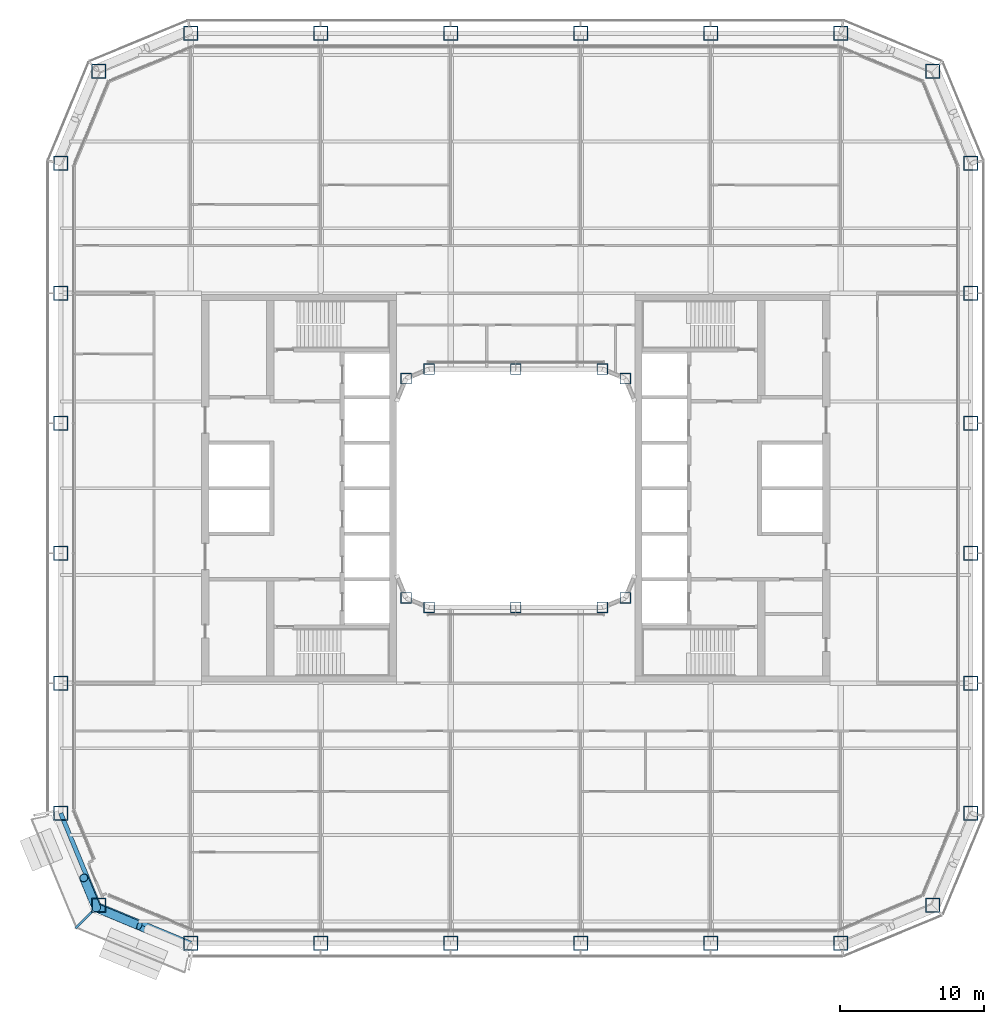
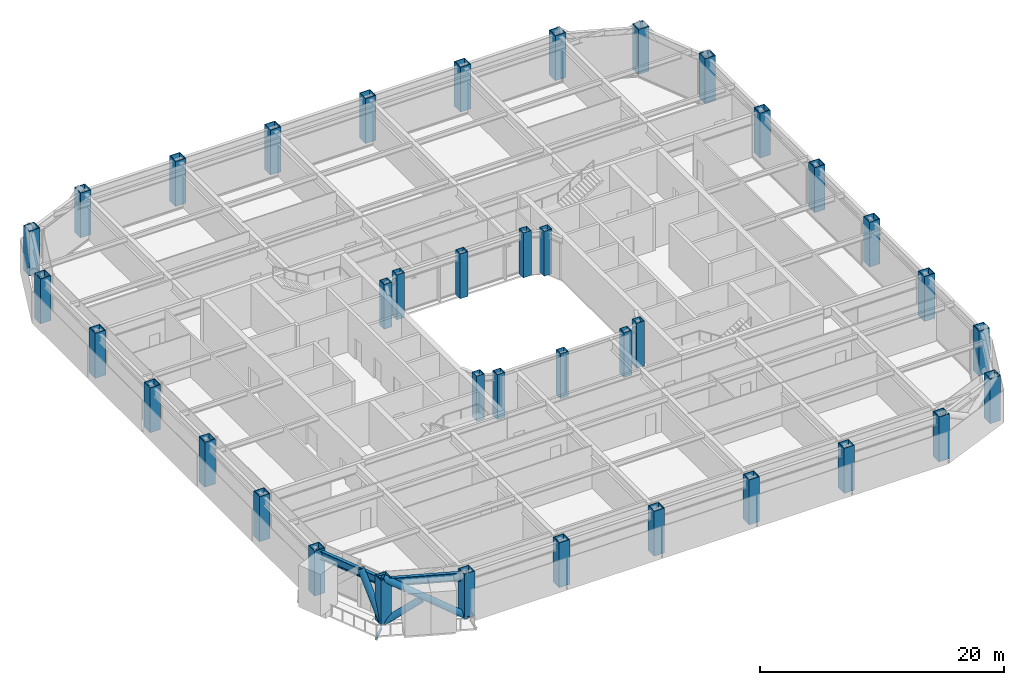
# One storey, part 1 of 27: 38 columns, 3 beams, 3 members.
"""IFC4 building model written with IfcOpenShell, lengths in metres."""

from ifc_helpers import new_model, si_unit, direction, frame, origin, origin_2d, place, context, subcontext, project, spatial, hollow_rectangle, hollow_circle, i_section, extrude, material, material_profile, profile_set, type_object, element, save


model = new_model("IFC4")

# Units and contexts
model_context = context("Model", 3, precision=1e-05, world=origin(), true_north=direction((0.0, 1.0)))
body_context = subcontext(model_context, "Body", "Model", "MODEL_VIEW")
ifc_project = project(units=[si_unit("LENGTHUNIT", "METRE"), si_unit("AREAUNIT", "SQUARE_METRE"), si_unit("VOLUMEUNIT", "CUBIC_METRE"), si_unit("PLANEANGLEUNIT", "RADIAN"), si_unit("MASSUNIT", "GRAM", prefix="KILO")], contexts=[model_context])

# Site, building, storey
site_placement = place(None, origin())
site = spatial("IfcSite", under=ifc_project, at=site_placement, CompositionType="ELEMENT")
building_placement = place(site_placement, origin())
building = spatial("IfcBuilding", under=site, at=building_placement, Name="Siwar Civic Tower", CompositionType="ELEMENT")
storey_placement = place(building_placement, frame((0.0, 0.0, 89.699951171875)))
storey = spatial("IfcBuildingStorey", under=building, at=storey_placement, Name="L19", CompositionType="ELEMENT", Elevation=89.699951171875)

# Columns
ifc_material_1 = material(Name="Steel S460", Category="steel")
ifc_material_profile_1 = material_profile(ifc_material_1, hollow_rectangle(XDim=1.0, YDim=1.0, WallThickness=0.06005859375, at=origin_2d()), Name="BOX1000x1000x60")
ifc_profile_set_1 = profile_set([ifc_material_profile_1], Name="Steel S460")
column_type_1 = type_object("IfcColumnType", Name="STR-COL-BOX1000x1000x60", PredefinedType="COLUMN", material=ifc_profile_set_1)
for number, where, z_axis, x_axis, name in (
    (1, (-22.5, -31.5, 0.0), (0.0, 0.0, 1.0), (1.0, 0.0, 0.0), "L19/col/S-0"),
    (2, (-13.5, -31.5, 0.0), (0.0, 0.0, 1.0), (1.0, 0.0, 0.0), "L19/col/S-1"),
    (3, (-4.5, -31.5, 0.0), (0.0, 0.0, 1.0), (1.0, 0.0, 0.0), "L19/col/S-2"),
    (4, (4.5, -31.5, 0.0), (0.0, 0.0, 1.0), (1.0, 0.0, 0.0), "L19/col/S-3"),
    (5, (13.5, -31.5, 0.0), (0.0, 0.0, 1.0), (1.0, 0.0, 0.0), "L19/col/S-4"),
    (6, (22.5, -31.5, 0.0), (0.0, 0.0, 1.0), (1.0, 0.0, 0.0), "L19/col/SE1-0"),
    (7, (28.864013671875, -28.864013671875, 0.0), (0.0, 0.0, 1.0), (1.0, 0.0, 0.0), "L19/col/SE2-0"),
    (8, (31.5, -22.5, 0.0), (0.0, 0.0, 1.0), (1.0, 0.0, 0.0), "L19/col/E-0"),
    (9, (31.5, -13.5, 0.0), (0.0, 0.0, 1.0), (1.0, 0.0, 0.0), "L19/col/E-1"),
    (10, (31.5, -4.5, 0.0), (0.0, 0.0, 1.0), (1.0, 0.0, 0.0), "L19/col/E-2"),
    (11, (31.5, 4.5, 0.0), (0.0, 0.0, 1.0), (1.0, 0.0, 0.0), "L19/col/E-3"),
    (12, (31.5, 13.5, 0.0), (0.0, 0.0, 1.0), (1.0, 0.0, 0.0), "L19/col/E-4"),
    (13, (31.5, 22.5, 0.0), (0.0, 0.0, 1.0), (1.0, 0.0, 0.0), "L19/col/NE1-0"),
    (14, (28.864013671875, 28.864013671875, 0.0), (0.0, 0.0, 1.0), (1.0, 0.0, 0.0), "L19/col/NE2-0"),
    (15, (22.5, 31.5, 0.0), (0.0, 0.0, 1.0), (1.0, 0.0, 0.0), "L19/col/N-0"),
    (16, (13.5, 31.5, 0.0), (0.0, 0.0, 1.0), (1.0, 0.0, 0.0), "L19/col/N-1"),
    (17, (4.5, 31.5, 0.0), (0.0, 0.0, 1.0), (1.0, 0.0, 0.0), "L19/col/N-2"),
    (18, (-4.5, 31.5, 0.0), (0.0, 0.0, 1.0), (1.0, 0.0, 0.0), "L19/col/N-3"),
    (19, (-13.5, 31.5, 0.0), (0.0, 0.0, 1.0), (1.0, 0.0, 0.0), "L19/col/N-4"),
    (20, (-22.5, 31.5, 0.0), (0.0, 0.0, 1.0), (1.0, 0.0, 0.0), "L19/col/NW1-0"),
    (21, (-28.864013671875, 28.864013671875, 0.0), (0.0, 0.0, 1.0), (1.0, 0.0, 0.0), "L19/col/NW2-0"),
    (22, (-31.5, 22.5, 0.0), (0.0, 0.0, 1.0), (1.0, 0.0, 0.0), "L19/col/W-0"),
    (23, (-31.5, 13.5, 0.0), (0.0, 0.0, 1.0), (1.0, 0.0, 0.0), "L19/col/W-1"),
    (24, (-31.5, 4.5, 0.0), (0.0, 0.0, 1.0), (1.0, 0.0, 0.0), "L19/col/W-2"),
    (25, (-31.5, -4.5, 0.0), (0.0, 0.0, 1.0), (1.0, 0.0, 0.0), "L19/col/W-3"),
    (26, (-31.5, -13.5, 0.0), (0.0, 0.0, 1.0), (1.0, 0.0, 0.0), "L19/col/W-4"),
    (27, (-31.5, -22.5, 0.0), (0.0, 0.0, 1.0), (1.0, 0.0, 0.0), "L19/col/SW1-0"),
    (28, (-28.864013671875, -28.864013671875, 0.0), (0.0, 0.0, 1.0), (1.0, 0.0, 0.0), "L19/col/SW2-0"),
):
    element("IfcColumn", number, at=place(storey_placement, frame(where, z_axis=z_axis, x_axis=x_axis)), inside=storey, type_object=column_type_1, Name=name, PredefinedType="COLUMN", context=body_context, shape_type="SweptSolid", body=[
        extrude(hollow_rectangle(XDim=1.0, YDim=1.0, WallThickness=0.06005859375, at=origin_2d()), origin(), (0.0, 0.0, 1.0), 4.5),
    ])
ifc_material_2 = material(Name="Steel S355", Category="steel")
ifc_material_profile_2 = material_profile(ifc_material_2, hollow_rectangle(XDim=0.75, YDim=0.75, WallThickness=0.044921875, at=origin_2d()), Name="BOX750x750x45")
ifc_profile_set_2 = profile_set([ifc_material_profile_2], Name="Steel S355")
column_type_2 = type_object("IfcColumnType", Name="STR-ICOL-BOX750x750x45", PredefinedType="COLUMN", material=ifc_profile_set_2)
for number, where, z_axis, x_axis, name in (
    (29, (-7.591064453125, -7.591064453125, 0.0), (0.0, 0.0, 1.0), (1.0, 0.0, 0.0), "L19/col/IS-0"),
    (30, (-6.0, -8.25, 0.0), (0.0, 0.0, 1.0), (1.0, 0.0, 0.0), "L19/col/IS-1"),
    (31, (0.0, -8.25, 0.0), (0.0, 0.0, 1.0), (1.0, 0.0, 0.0), "L19/col/IS-2"),
    (32, (6.0, -8.25, 0.0), (0.0, 0.0, 1.0), (1.0, 0.0, 0.0), "L19/col/IS-3"),
    (33, (7.591064453125, -7.591064453125, 0.0), (0.0, 0.0, 1.0), (1.0, 0.0, 0.0), "L19/col/IS-4"),
    (34, (-7.591064453125, 7.591064453125, 0.0), (0.0, 0.0, 1.0), (1.0, 0.0, 0.0), "L19/col/IN-0"),
    (35, (-6.0, 8.25, 0.0), (0.0, 0.0, 1.0), (1.0, 0.0, 0.0), "L19/col/IN-1"),
    (36, (0.0, 8.25, 0.0), (0.0, 0.0, 1.0), (1.0, 0.0, 0.0), "L19/col/IN-2"),
    (37, (6.0, 8.25, 0.0), (0.0, 0.0, 1.0), (1.0, 0.0, 0.0), "L19/col/IN-3"),
    (38, (7.591064453125, 7.591064453125, 0.0), (0.0, 0.0, 1.0), (1.0, 0.0, 0.0), "L19/col/IN-4"),
):
    element("IfcColumn", number, at=place(storey_placement, frame(where, z_axis=z_axis, x_axis=x_axis)), inside=storey, type_object=column_type_2, Name=name, PredefinedType="COLUMN", context=body_context, shape_type="SweptSolid", body=[
        extrude(hollow_rectangle(XDim=0.75, YDim=0.75, WallThickness=0.044921875, at=origin_2d()), origin(), (0.0, 0.0, 1.0), 4.5),
    ])

# Beam
ifc_material_3 = material(Name="Steel S355", Category="steel")
ifc_material_profile_3 = material_profile(ifc_material_3, hollow_rectangle(XDim=0.14990234375, YDim=0.25, WallThickness=0.010009765625, at=origin_2d()), Name="RHS250x150x10")
ifc_profile_set_3 = profile_set([ifc_material_profile_3], Name="Steel S355")
beam_type_1 = type_object("IfcBeamType", Name="ENV-BALCONY ARM", PredefinedType="BEAM", material=ifc_profile_set_3)
beam_placement = place(storey_placement, frame((-29.32861328125, -29.32861328125, -0.27490234375), z_axis=(-0.707106781187, -0.707106781187, 0.0), x_axis=(0.707106781187, -0.707106781187, 0.0)))
element("IfcBeam", 39, at=beam_placement, inside=storey, type_object=beam_type_1, Name="Balcony cantilever beam SW 2", PredefinedType="BEAM", context=body_context, shape_type="SweptSolid", body=[
    extrude(hollow_rectangle(XDim=0.14990234375, YDim=0.25, WallThickness=0.010009765625, at=origin_2d()), origin(), (0.0, 0.0, 1.0), 1.615966796875),
])

# Members
ifc_material_4 = material(Name="Steel S355", Category="steel")
ifc_material_profile_4 = material_profile(ifc_material_4, hollow_circle(Radius=0.304931640625, WallThickness=0.030029296875, at=origin_2d()), Name="CHS610x30")
ifc_profile_set_4 = profile_set([ifc_material_profile_4], Name="Steel S355")
member_type = type_object("IfcMemberType", Name="STR-BR-CHS610x30", PredefinedType="BRACE", material=ifc_profile_set_4)
member_1_placement = place(storey_placement, frame((-22.548828125, -31.7451171875, 0.0), z_axis=(-0.777554562952, 0.323905527954, 0.538975055633), x_axis=(-0.384538969033, -0.923108759191, 0.0)))
element("IfcMember", 40, at=member_1_placement, inside=storey, type_object=member_type, Name="L19/brc/ASW1-18-0-1", PredefinedType="BRACE", context=body_context, shape_type="SweptSolid", body=[
    extrude(hollow_circle(Radius=0.304931640625, WallThickness=0.030029296875, at=origin_2d()), origin(), (0.0, 0.0, 1.0), 8.34912109375),
])
member_2_placement = place(storey_placement, frame((-29.040771484375, -29.040771484375, 0.0), z_axis=(0.777542179573, -0.323922979564, 0.53898243227), x_axis=(0.384561842466, 0.923099230484, 0.0)))
element("IfcMember", 41, at=member_2_placement, inside=storey, type_object=member_type, Name="L19/brc/ASW1-18-0-2", PredefinedType="BRACE", context=body_context, shape_type="SweptSolid", body=[
    extrude(hollow_circle(Radius=0.304931640625, WallThickness=0.030029296875, at=origin_2d()), origin(), (0.0, 0.0, 1.0), 3.84375),
])
member_3_placement = place(storey_placement, frame((-29.040771484375, -29.040771484375, 0.0), z_axis=(-0.171426870802, 0.411570178484, 0.895110504993), x_axis=(-0.923125254544, -0.384499368559, 0.0)))
element("IfcMember", 42, at=member_3_placement, inside=storey, type_object=member_type, Name="L19/brc/ASW1-18-0-6", PredefinedType="BRACE", context=body_context, shape_type="SweptSolid", body=[
    extrude(hollow_circle(Radius=0.304931640625, WallThickness=0.030029296875, at=origin_2d()), origin(), (0.0, 0.0, 1.0), 5.02734375),
])

# Beams
ifc_material_5 = material(Name="Steel S355", Category="steel")
ifc_material_profile_5 = material_profile(ifc_material_5, i_section(OverallWidth=0.302978515625, OverallDepth=0.81396484375, WebThickness=0.02099609375, FlangeThickness=0.0400390625, FilletRadius=0.030029296875, at=origin_2d()), Name="HEM800")
ifc_profile_set_5 = profile_set([ifc_material_profile_5], Name="Steel S355")
beam_type_2 = type_object("IfcBeamType", Name="STR-SB-HEM800", PredefinedType="BEAM", material=ifc_profile_set_5)
for number, where, z_axis, x_axis, name in (
    (43, (-31.5, -22.5, 3.89306640625), (0.382674207535, -0.923883353507, 0.0), (0.923883353507, 0.382674207535, 0.0), "L19/bm/SSW1-0"),
    (44, (-28.864013671875, -28.864013671875, 3.89306640625), (0.923883353507, -0.382674207535, 0.0), (0.382674207535, 0.923883353507, 0.0), "L19/bm/SSW2-0"),
):
    element("IfcBeam", number, at=place(storey_placement, frame(where, z_axis=z_axis, x_axis=x_axis)), inside=storey, type_object=beam_type_2, Name=name, PredefinedType="BEAM", context=body_context, shape_type="SweptSolid", body=[
        extrude(i_section(OverallWidth=0.302978515625, OverallDepth=0.81396484375, WebThickness=0.02099609375, FlangeThickness=0.0400390625, FilletRadius=0.030029296875, at=origin_2d()), origin(), (0.0, 0.0, 1.0), 6.888427734375),
    ])

save(model, "model.ifc")
